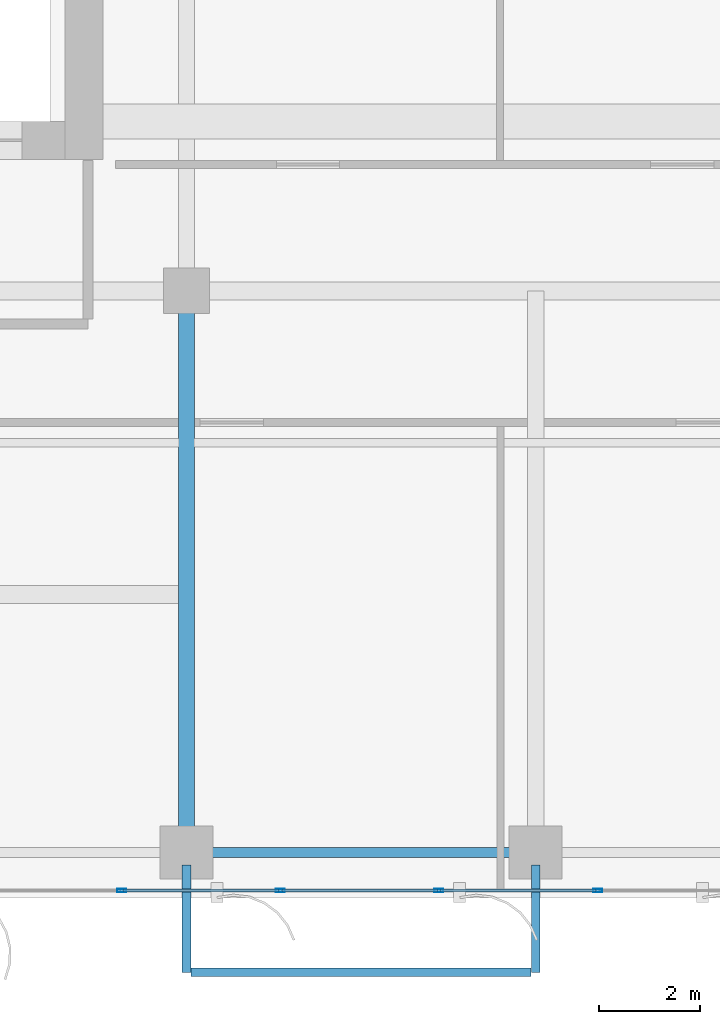
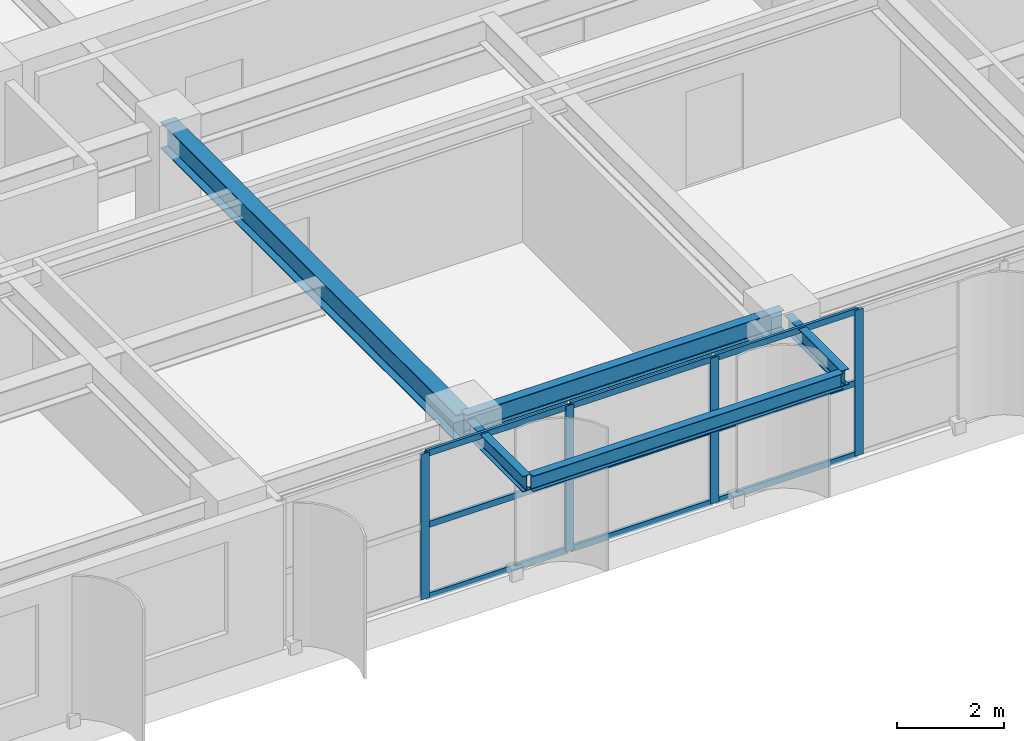
# One storey, part 4 of 23: 13 members, 5 beams, 1 element without a shape of its own.
"""IFC4 building model written with IfcOpenShell, lengths in metres."""

from ifc_helpers import new_model, si_unit, direction, frame, origin, origin_2d, place, context, subcontext, project, spatial, hollow_rectangle, i_section, extrude, source, transform, mapped, material, layer, layer_set, material_profile, profile_set, type_object, element, aggregate, save


model = new_model("IFC4")

# Units and contexts
model_context = context("Model", 3, precision=1e-05, world=origin(), true_north=direction((0.0, 1.0)))
body_context = subcontext(model_context, "Body", "Model", "MODEL_VIEW")
ifc_project = project(units=[si_unit("LENGTHUNIT", "METRE"), si_unit("AREAUNIT", "SQUARE_METRE"), si_unit("VOLUMEUNIT", "CUBIC_METRE"), si_unit("PLANEANGLEUNIT", "RADIAN"), si_unit("MASSUNIT", "GRAM", prefix="KILO")], contexts=[model_context])

# Site, building, storey
site_placement = place(None, origin())
site = spatial("IfcSite", under=ifc_project, at=site_placement, CompositionType="ELEMENT")
building_placement = place(site_placement, origin())
building = spatial("IfcBuilding", under=site, at=building_placement, Name="Khoralis Quay Care Tower", CompositionType="ELEMENT")
storey_placement = place(building_placement, frame((0.0, 0.0, 83.699951171875)))
storey = spatial("IfcBuildingStorey", under=building, at=storey_placement, Name="L21", CompositionType="ELEMENT", Elevation=83.699951171875)

# Beams
ifc_material_1 = material(Name="Steel S355", Category="steel")
ifc_material_profile_1 = material_profile(ifc_material_1, i_section(OverallWidth=0.18994140625, OverallDepth=0.449951171875, WebThickness=0.009521484375, FlangeThickness=0.0146484375, FilletRadius=0.02099609375, at=origin_2d()), Name="Steel S355")
ifc_profile_set_1 = profile_set([ifc_material_profile_1], Name="Steel S355")
beam_type_1 = type_object("IfcBeamType", Name="BM-IPE450", PredefinedType="SPANDREL", material=ifc_profile_set_1)
shared_shape_1 = source(origin(), body_context, "Body", "SweptSolid", [
    extrude(i_section(OverallWidth=0.18994140625, OverallDepth=0.449951171875, WebThickness=0.009521484375, FlangeThickness=0.0146484375, FilletRadius=0.02099609375, at=origin_2d()), origin(), (0.0, 0.0, 1.0), 6.89990234375),
])
beam_1_placement = place(storey_placement, frame((17.10009765625, 0.89990234375, 3.114990234375), z_axis=(1.0, 0.0, 0.0), x_axis=(0.0, 1.0, 0.0)))
element("IfcBeam", 1, at=beam_1_placement, inside=storey, type_object=beam_type_1, Name="BM-TSP-L21-03", PredefinedType="SPANDREL", context=body_context, shape_type="MappedRepresentation", body=[
    mapped(shared_shape_1, transform((0.0, 0.0, 0.0), scale=1.0)),
])
ifc_material_profile_2 = material_profile(ifc_material_1, i_section(OverallWidth=0.324951171875, OverallDepth=0.615966796875, WebThickness=0.013916015625, FlangeThickness=0.021484375, FilletRadius=0.01806640625, at=origin_2d()), Name="Steel S355")
ifc_profile_set_2 = profile_set([ifc_material_profile_2], Name="Steel S355")
beam_type_2 = type_object("IfcBeamType", Name="BM-W610X174", PredefinedType="BEAM", material=ifc_profile_set_2)
shared_shape_2 = source(origin(), body_context, "Body", "SweptSolid", [
    extrude(i_section(OverallWidth=0.324951171875, OverallDepth=0.615966796875, WebThickness=0.013916015625, FlangeThickness=0.021484375, FilletRadius=0.01806640625, at=origin_2d()), origin(), (0.0, 0.0, 1.0), 11.10009765625),
])
beam_2_placement = place(storey_placement, frame((17.10009765625, 0.89990234375, 3.031982421875), z_axis=(0.0, 1.0, 0.0), x_axis=(-1.0, 0.0, 0.0)))
element("IfcBeam", 2, at=beam_2_placement, inside=storey, type_object=beam_type_2, Name="BM-TGYS-L21-171", PredefinedType="BEAM", context=body_context, shape_type="MappedRepresentation", body=[
    mapped(shared_shape_2, transform((0.0, 0.0, 0.0), scale=1.0)),
])
ifc_material_profile_3 = material_profile(ifc_material_1, i_section(OverallWidth=0.169921875, OverallDepth=0.360107421875, WebThickness=0.008056640625, FlangeThickness=0.0126953125, FilletRadius=0.01806640625, at=origin_2d()), Name="Steel S355")
ifc_profile_set_3 = profile_set([ifc_material_profile_3], Name="Steel S355")
beam_type_3 = type_object("IfcBeamType", Name="BM-IPE360", PredefinedType="SPANDREL", material=ifc_profile_set_3)
shared_shape_3 = source(origin(), body_context, "Body", "SweptSolid", [
    extrude(i_section(OverallWidth=0.169921875, OverallDepth=0.360107421875, WebThickness=0.008056640625, FlangeThickness=0.0126953125, FilletRadius=0.01806640625, at=origin_2d()), origin(), (0.0, 0.0, 1.0), 2.119873046875),
])
for number, where, z_axis, x_axis, name in (
    (3, (17.10009765625, 0.64990234375, 3.1640625), (0.0, -1.0, 0.0), (1.0, 0.0, 0.0), "L22 Balcony Cantilever Outrigger Beam 1"),
    (4, (24.0, 0.64990234375, 3.1640625), (0.0, -1.0, 0.0), (1.0, 0.0, 0.0), "L22 Balcony Cantilever Outrigger Beam 2"),
):
    element("IfcBeam", number, at=place(storey_placement, frame(where, z_axis=z_axis, x_axis=x_axis)), inside=storey, type_object=beam_type_3, Name=name, PredefinedType="SPANDREL", context=body_context, shape_type="MappedRepresentation", body=[
        mapped(shared_shape_3, transform((0.0, 0.0, 0.0), scale=1.0)),
    ])
shared_shape_4 = source(origin(), body_context, "Body", "SweptSolid", [
    extrude(i_section(OverallWidth=0.169921875, OverallDepth=0.360107421875, WebThickness=0.008056640625, FlangeThickness=0.0126953125, FilletRadius=0.01806640625, at=origin_2d()), origin(), (0.0, 0.0, 1.0), 6.72412109375),
])
beam_3_placement = place(storey_placement, frame((17.18798828125, -1.469970703125, 3.1640625), z_axis=(1.0, 0.0, 0.0), x_axis=(0.0, 1.0, 0.0)))
element("IfcBeam", 5, at=beam_3_placement, inside=storey, type_object=beam_type_3, Name="L22 Balcony Edge Spandrel Beam P1E0", PredefinedType="SPANDREL", context=body_context, shape_type="MappedRepresentation", body=[
    mapped(shared_shape_4, transform((0.0, 0.0, 0.0), scale=1.0)),
])

# Curtain wall, members
ifc_material_2 = material(Name="Pale anodised aluminium", Category="aluminium")
ifc_layer = layer(ifc_material_2, 0.169921875)
ifc_layer_set = layer_set([ifc_layer], Name="Pale anodised aluminium")
curtain_wall_type = type_object("IfcCurtainWallType", Name="CW-SYS-Z2", PredefinedType="NOTDEFINED", material=ifc_layer_set)
curtain_wall_placement = place(storey_placement, origin())
curtain_wall = element("IfcCurtainWall", 6, at=curtain_wall_placement, inside=storey, type_object=curtain_wall_type, Name="L21 Unitised Curtain Wall CW-L21-P1-E0", PredefinedType="NOTDEFINED")
ifc_material_profile_4 = material_profile(ifc_material_2, hollow_rectangle(XDim=0.06494140625, YDim=0.179931640625, WallThickness=0.00390625, at=origin_2d()), Name="Pale anodised aluminium")
ifc_profile_set_4 = profile_set([ifc_material_profile_4], Name="Pale anodised aluminium")
member_type_1 = type_object("IfcMemberType", Name="CW-MUL-180", PredefinedType="MULLION", material=ifc_profile_set_4)
shared_shape_5 = source(origin(), body_context, "Body", "SweptSolid", [
    extrude(hollow_rectangle(XDim=0.06494140625, YDim=0.179931640625, WallThickness=0.00390625, at=origin_2d()), origin(), (0.0, 0.0, 1.0), 3.340087890625),
])
member_1_placement = place(storey_placement, frame((15.816650390625, 0.14990234375, 0.0), z_axis=(0.0, 0.0, 1.0), x_axis=(0.0, 1.0, 0.0)))
member_1 = element("IfcMember", 7, at=member_1_placement, type_object=member_type_1, Name="CW2 mullion 2", PredefinedType="MULLION", context=body_context, shape_type="MappedRepresentation", body=[
    mapped(shared_shape_5, transform((0.0, 0.0, 0.0), scale=1.0)),
])
member_2_placement = place(storey_placement, frame((18.953369140625, 0.14990234375, 0.0), z_axis=(0.0, 0.0, 1.0), x_axis=(0.0, 1.0, 0.0)))
member_2 = element("IfcMember", 8, at=member_2_placement, type_object=member_type_1, Name="CW2 mullion 3", PredefinedType="MULLION", context=body_context, shape_type="MappedRepresentation", body=[
    mapped(shared_shape_5, transform((0.0, 0.0, 0.0), scale=1.0)),
])
member_3_placement = place(storey_placement, frame((22.090087890625, 0.14990234375, 0.0), z_axis=(0.0, 0.0, 1.0), x_axis=(0.0, 1.0, 0.0)))
member_3 = element("IfcMember", 9, at=member_3_placement, type_object=member_type_1, Name="CW2 mullion 4", PredefinedType="MULLION", context=body_context, shape_type="MappedRepresentation", body=[
    mapped(shared_shape_5, transform((0.0, 0.0, 0.0), scale=1.0)),
])
member_4_placement = place(storey_placement, frame((25.2265625, 0.14990234375, 0.0), z_axis=(0.0, 0.0, 1.0), x_axis=(0.0, 1.0, 0.0)))
member_4 = element("IfcMember", 10, at=member_4_placement, type_object=member_type_1, Name="CW2 mullion 5", PredefinedType="MULLION", context=body_context, shape_type="MappedRepresentation", body=[
    mapped(shared_shape_5, transform((0.0, 0.0, 0.0), scale=1.0)),
])
ifc_material_profile_5 = material_profile(ifc_material_2, hollow_rectangle(XDim=0.06005859375, YDim=0.139892578125, WallThickness=0.00390625, at=origin_2d()), Name="Pale anodised aluminium")
ifc_profile_set_5 = profile_set([ifc_material_profile_5], Name="Pale anodised aluminium")
member_type_2 = type_object("IfcMemberType", Name="CW-TRN-140", PredefinedType="USERDEFINED", material=ifc_profile_set_5)
shared_shape_6 = source(origin(), body_context, "Body", "SweptSolid", [
    extrude(hollow_rectangle(XDim=0.06005859375, YDim=0.139892578125, WallThickness=0.00390625, at=origin_2d()), origin(), (0.0, 0.0, 1.0), 3.07666015625),
])
member_5_placement = place(storey_placement, frame((15.8466796875, 0.14990234375, 0.030029296875), z_axis=(1.0, 0.0, 0.0), x_axis=(0.0, 1.0, 0.0)))
member_5 = element("IfcMember", 11, at=member_5_placement, type_object=member_type_2, Name="CW2 transom 2.1", ObjectType="TRANSOM", PredefinedType="USERDEFINED", context=body_context, shape_type="MappedRepresentation", body=[
    mapped(shared_shape_6, transform((0.0, 0.0, 0.0), scale=1.0)),
])
member_6_placement = place(storey_placement, frame((15.8466796875, 0.14990234375, 1.670166015625), z_axis=(1.0, 0.0, 0.0), x_axis=(0.0, 1.0, 0.0)))
member_6 = element("IfcMember", 12, at=member_6_placement, type_object=member_type_2, Name="CW2 transom 2.2", ObjectType="TRANSOM", PredefinedType="USERDEFINED", context=body_context, shape_type="MappedRepresentation", body=[
    mapped(shared_shape_6, transform((0.0, 0.0, 0.0), scale=1.0)),
])
member_7_placement = place(storey_placement, frame((15.8466796875, 0.14990234375, 3.31005859375), z_axis=(1.0, 0.0, 0.0), x_axis=(0.0, 1.0, 0.0)))
member_7 = element("IfcMember", 13, at=member_7_placement, type_object=member_type_2, Name="CW2 transom 2.3", ObjectType="TRANSOM", PredefinedType="USERDEFINED", context=body_context, shape_type="MappedRepresentation", body=[
    mapped(shared_shape_6, transform((0.0, 0.0, 0.0), scale=1.0)),
])
member_8_placement = place(storey_placement, frame((18.9833984375, 0.14990234375, 0.030029296875), z_axis=(1.0, 0.0, 0.0), x_axis=(0.0, 1.0, 0.0)))
member_8 = element("IfcMember", 14, at=member_8_placement, type_object=member_type_2, Name="CW2 transom 3.1", ObjectType="TRANSOM", PredefinedType="USERDEFINED", context=body_context, shape_type="MappedRepresentation", body=[
    mapped(shared_shape_6, transform((0.0, 0.0, 0.0), scale=1.0)),
])
member_9_placement = place(storey_placement, frame((18.9833984375, 0.14990234375, 1.670166015625), z_axis=(1.0, 0.0, 0.0), x_axis=(0.0, 1.0, 0.0)))
member_9 = element("IfcMember", 15, at=member_9_placement, type_object=member_type_2, Name="CW2 transom 3.2", ObjectType="TRANSOM", PredefinedType="USERDEFINED", context=body_context, shape_type="MappedRepresentation", body=[
    mapped(shared_shape_6, transform((0.0, 0.0, 0.0), scale=1.0)),
])
member_10_placement = place(storey_placement, frame((18.9833984375, 0.14990234375, 3.31005859375), z_axis=(1.0, 0.0, 0.0), x_axis=(0.0, 1.0, 0.0)))
member_10 = element("IfcMember", 16, at=member_10_placement, type_object=member_type_2, Name="CW2 transom 3.3", ObjectType="TRANSOM", PredefinedType="USERDEFINED", context=body_context, shape_type="MappedRepresentation", body=[
    mapped(shared_shape_6, transform((0.0, 0.0, 0.0), scale=1.0)),
])
member_11_placement = place(storey_placement, frame((22.1201171875, 0.14990234375, 0.030029296875), z_axis=(1.0, 0.0, 0.0), x_axis=(0.0, 1.0, 0.0)))
member_11 = element("IfcMember", 17, at=member_11_placement, type_object=member_type_2, Name="CW2 transom 4.1", ObjectType="TRANSOM", PredefinedType="USERDEFINED", context=body_context, shape_type="MappedRepresentation", body=[
    mapped(shared_shape_6, transform((0.0, 0.0, 0.0), scale=1.0)),
])
member_12_placement = place(storey_placement, frame((22.1201171875, 0.14990234375, 1.670166015625), z_axis=(1.0, 0.0, 0.0), x_axis=(0.0, 1.0, 0.0)))
member_12 = element("IfcMember", 18, at=member_12_placement, type_object=member_type_2, Name="CW2 transom 4.2", ObjectType="TRANSOM", PredefinedType="USERDEFINED", context=body_context, shape_type="MappedRepresentation", body=[
    mapped(shared_shape_6, transform((0.0, 0.0, 0.0), scale=1.0)),
])
member_13_placement = place(storey_placement, frame((22.1201171875, 0.14990234375, 3.31005859375), z_axis=(1.0, 0.0, 0.0), x_axis=(0.0, 1.0, 0.0)))
member_13 = element("IfcMember", 19, at=member_13_placement, type_object=member_type_2, Name="CW2 transom 4.3", ObjectType="TRANSOM", PredefinedType="USERDEFINED", context=body_context, shape_type="MappedRepresentation", body=[
    mapped(shared_shape_6, transform((0.0, 0.0, 0.0), scale=1.0)),
])
aggregate(curtain_wall, [member_1, member_2, member_3, member_4, member_5, member_6, member_7, member_8, member_9, member_10, member_11, member_12, member_13])

save(model, "model.ifc")
